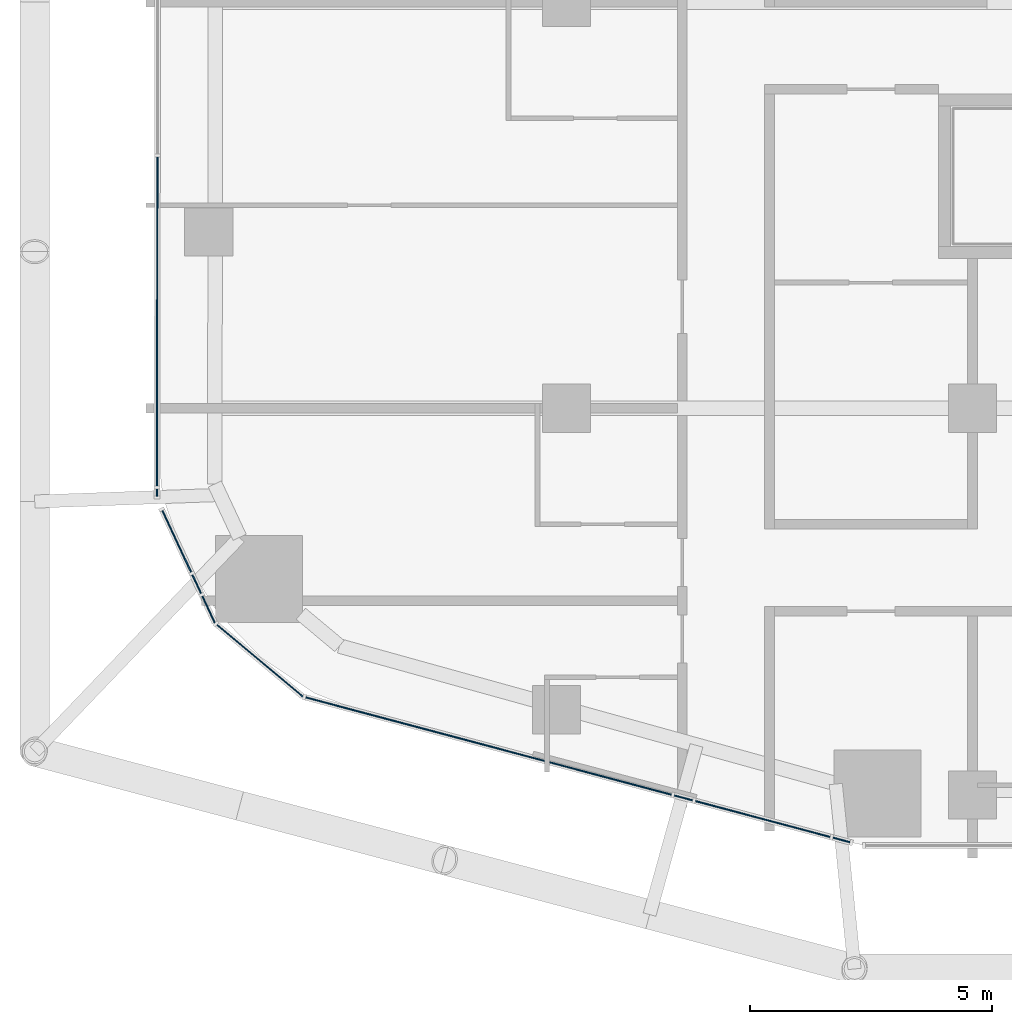
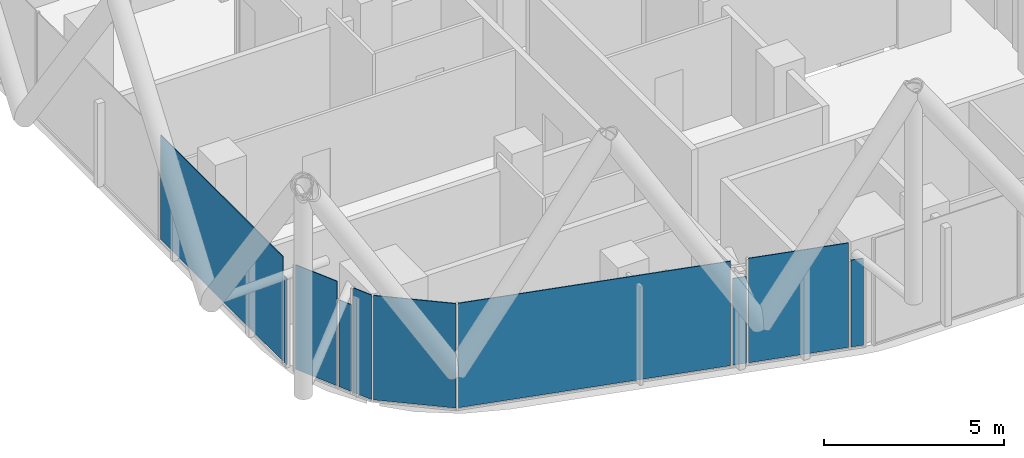
# One storey, part 19 of 38: 10 plates, 10 elements without a shape of their own.
"""IFC4 building model written with IfcOpenShell, lengths in metres."""

from ifc_helpers import new_model, si_unit, direction, frame, origin, origin_2d, place, context, subcontext, project, spatial, rectangle, extrude, material, layer, layer_set, type_object, element, aggregate, save


model = new_model("IFC4")

# Units and contexts
model_context = context("Model", 3, precision=1e-05, world=origin(), true_north=direction((0.0, 1.0)))
body_context = subcontext(model_context, "Body", "Model", "MODEL_VIEW")
ifc_project = project(units=[si_unit("LENGTHUNIT", "METRE"), si_unit("AREAUNIT", "SQUARE_METRE"), si_unit("VOLUMEUNIT", "CUBIC_METRE"), si_unit("PLANEANGLEUNIT", "RADIAN"), si_unit("MASSUNIT", "GRAM", prefix="KILO")], contexts=[model_context])

# Site, building, storey
site_placement = place(None, origin())
site = spatial("IfcSite", under=ifc_project, at=site_placement, CompositionType="ELEMENT")
building_placement = place(site_placement, origin())
building = spatial("IfcBuilding", under=site, at=building_placement, Name="Marenta Gate Hotel Tower", CompositionType="ELEMENT")
storey_placement = place(building_placement, frame((0.0, 0.0, 68.89990234375)))
storey = spatial("IfcBuildingStorey", under=building, at=storey_placement, Name="L15", CompositionType="ELEMENT", Elevation=68.89990234375)

# Curtain wall, plate
ifc_material_1 = material(Name="Tinted insulated glass in bronze anodised frame", Category="glass")
ifc_layer_1 = layer(ifc_material_1, 0.1201171875)
ifc_layer_set_1 = layer_set([ifc_layer_1], Name="Tinted insulated glass in bronze anodised frame")
curtain_wall_type = type_object("IfcCurtainWallType", Name="Tower unitised curtain wall CW1", PredefinedType="NOTDEFINED", material=ifc_layer_set_1)
curtain_wall_1_placement = place(storey_placement, origin())
curtain_wall_1 = element("IfcCurtainWall", 1, at=curtain_wall_1_placement, inside=storey, type_object=curtain_wall_type, Name="CW1 run G08", PredefinedType="NOTDEFINED")
ifc_material_2 = material(Name="Tinted insulated glass", Category="glass")
ifc_layer_2 = layer(ifc_material_2, 0.028076171875)
ifc_layer_set_2 = layer_set([ifc_layer_2], Name="Tinted insulated glass")
plate_type = type_object("IfcPlateType", Name="Glass panel CW1 28 mm tinted insulated unit", PredefinedType="CURTAIN_PANEL", material=ifc_layer_set_2)
plate_1_placement = place(storey_placement, frame((-29.467529296875, -6.60888671875, 0.06005859375), z_axis=(0.0, 0.0, 1.0), x_axis=(-0.00156461532, -0.999998775989, 0.0)))
plate_1 = element("IfcPlate", 2, at=plate_1_placement, type_object=plate_type, Name="CW1 panel 3.1", PredefinedType="CURTAIN_PANEL", context=body_context, shape_type="SweptSolid", body=[
    extrude(rectangle(XDim=6.80859375, YDim=0.028076171875, at=origin_2d()), origin(), (0.0, 0.0, 1.0), 3.5400390625),
])
aggregate(curtain_wall_1, [plate_1])

curtain_wall_2_placement = place(storey_placement, origin())
curtain_wall_2 = element("IfcCurtainWall", 3, at=curtain_wall_2_placement, inside=storey, type_object=curtain_wall_type, Name="CW1 run G09", PredefinedType="NOTDEFINED")
plate_2_placement = place(storey_placement, frame((-29.47314453125, -10.144775390625, 0.060302734375), z_axis=(0.0, 0.0, 1.0), x_axis=(-0.001523227487, -0.999998839888, 0.0)))
plate_2 = element("IfcPlate", 4, at=plate_2_placement, type_object=plate_type, Name="CW1 panel 1.1", PredefinedType="CURTAIN_PANEL", context=body_context, shape_type="SweptSolid", body=[
    extrude(rectangle(XDim=0.142578125, YDim=0.028076171875, at=origin_2d()), origin(), (0.0, 0.0, 1.0), 2.9404296875),
])
aggregate(curtain_wall_2, [plate_2])

curtain_wall_3_placement = place(storey_placement, origin())
curtain_wall_3 = element("IfcCurtainWall", 5, at=curtain_wall_3_placement, inside=storey, type_object=curtain_wall_type, Name="CW1 run G10", PredefinedType="NOTDEFINED")
plate_3_placement = place(storey_placement, frame((-29.0625, -11.15478515625, 0.06005859375), z_axis=(0.0, 0.0, 1.0), x_axis=(0.423374568314, -0.905954731156, 0.0)))
plate_3 = element("IfcPlate", 6, at=plate_3_placement, type_object=plate_type, Name="CW1 panel 1.1", PredefinedType="CURTAIN_PANEL", context=body_context, shape_type="SweptSolid", body=[
    extrude(rectangle(XDim=1.406005859375, YDim=0.028076171875, at=origin_2d()), origin(), (0.0, 0.0, 1.0), 3.5400390625),
])
aggregate(curtain_wall_3, [plate_3])

curtain_wall_4_placement = place(storey_placement, origin())
curtain_wall_4 = element("IfcCurtainWall", 7, at=curtain_wall_4_placement, inside=storey, type_object=curtain_wall_type, Name="CW1 run G11", PredefinedType="NOTDEFINED")
plate_4_placement = place(storey_placement, frame((-28.6494140625, -12.0390625, 0.060302734375), z_axis=(0.0, 0.0, 1.0), x_axis=(0.423268429691, -0.906004324729, 0.0)))
plate_4 = element("IfcPlate", 8, at=plate_4_placement, type_object=plate_type, Name="CW1 panel 1.1", PredefinedType="CURTAIN_PANEL", context=body_context, shape_type="SweptSolid", body=[
    extrude(rectangle(XDim=0.426025390625, YDim=0.028076171875, at=origin_2d()), origin(), (0.0, 0.0, 1.0), 2.9404296875),
])
aggregate(curtain_wall_4, [plate_4])

curtain_wall_5_placement = place(storey_placement, origin())
curtain_wall_5 = element("IfcCurtainWall", 9, at=curtain_wall_5_placement, inside=storey, type_object=curtain_wall_type, Name="CW1 run G12", PredefinedType="NOTDEFINED")
plate_5_placement = place(storey_placement, frame((-28.404052734375, -12.564208984375, 0.06005859375), z_axis=(0.0, 0.0, 1.0), x_axis=(0.423397949235, -0.905943804319, 0.0)))
plate_5 = element("IfcPlate", 10, at=plate_5_placement, type_object=plate_type, Name="CW1 panel 1.1", PredefinedType="CURTAIN_PANEL", context=body_context, shape_type="SweptSolid", body=[
    extrude(rectangle(XDim=0.61279296875, YDim=0.028076171875, at=origin_2d()), origin(), (0.0, 0.0, 1.0), 3.5400390625),
])
aggregate(curtain_wall_5, [plate_5])

curtain_wall_6_placement = place(storey_placement, origin())
curtain_wall_6 = element("IfcCurtainWall", 11, at=curtain_wall_6_placement, inside=storey, type_object=curtain_wall_type, Name="CW1 run G13", PredefinedType="NOTDEFINED")
plate_6_placement = place(storey_placement, frame((-27.33984375, -13.623291015625, 0.06005859375), z_axis=(0.0, 0.0, 1.0), x_axis=(0.767113012445, -0.641511984407, 0.0)))
plate_6 = element("IfcPlate", 12, at=plate_6_placement, type_object=plate_type, Name="CW1 panel 1.1", PredefinedType="CURTAIN_PANEL", context=body_context, shape_type="SweptSolid", body=[
    extrude(rectangle(XDim=2.316650390625, YDim=0.028076171875, at=origin_2d()), origin(), (0.0, 0.0, 1.0), 3.5400390625),
])
aggregate(curtain_wall_6, [plate_6])

curtain_wall_7_placement = place(storey_placement, origin())
curtain_wall_7 = element("IfcCurtainWall", 13, at=curtain_wall_7_placement, inside=storey, type_object=curtain_wall_type, Name="CW1 run G14", PredefinedType="NOTDEFINED")
plate_7_placement = place(storey_placement, frame((-22.60986328125, -15.388427734375, 0.06005859375), z_axis=(0.0, 0.0, 1.0), x_axis=(0.96637300589, -0.257144343682, 0.0)))
plate_7 = element("IfcPlate", 14, at=plate_7_placement, type_object=plate_type, Name="CW1 panel 1.1", PredefinedType="CURTAIN_PANEL", context=body_context, shape_type="SweptSolid", body=[
    extrude(rectangle(XDim=7.830078125, YDim=0.028076171875, at=origin_2d()), origin(), (0.0, 0.0, 1.0), 3.5400390625),
])
aggregate(curtain_wall_7, [plate_7])

curtain_wall_8_placement = place(storey_placement, origin())
curtain_wall_8 = element("IfcCurtainWall", 15, at=curtain_wall_8_placement, inside=storey, type_object=curtain_wall_type, Name="CW1 run G15", PredefinedType="NOTDEFINED")
plate_8_placement = place(storey_placement, frame((-18.57861328125, -16.461181640625, 0.060302734375), z_axis=(0.0, 0.0, 1.0), x_axis=(0.966370359942, -0.257154287199, 0.0)))
plate_8 = element("IfcPlate", 16, at=plate_8_placement, type_object=plate_type, Name="CW1 panel 1.1", PredefinedType="CURTAIN_PANEL", context=body_context, shape_type="SweptSolid", body=[
    extrude(rectangle(XDim=0.39306640625, YDim=0.028076171875, at=origin_2d()), origin(), (0.0, 0.0, 1.0), 2.9404296875),
])
aggregate(curtain_wall_8, [plate_8])

curtain_wall_9_placement = place(storey_placement, origin())
curtain_wall_9 = element("IfcCurtainWall", 17, at=curtain_wall_9_placement, inside=storey, type_object=curtain_wall_type, Name="CW1 run G16", PredefinedType="NOTDEFINED")
plate_9_placement = place(storey_placement, frame((-16.937255859375, -16.89794921875, 0.06005859375), z_axis=(0.0, 0.0, 1.0), x_axis=(0.966375739081, -0.257134071867, 0.0)))
plate_9 = element("IfcPlate", 18, at=plate_9_placement, type_object=plate_type, Name="CW1 panel 1.1", PredefinedType="CURTAIN_PANEL", context=body_context, shape_type="SweptSolid", body=[
    extrude(rectangle(XDim=2.884033203125, YDim=0.028076171875, at=origin_2d()), origin(), (0.0, 0.0, 1.0), 3.5400390625),
])
aggregate(curtain_wall_9, [plate_9])

curtain_wall_10_placement = place(storey_placement, origin())
curtain_wall_10 = element("IfcCurtainWall", 19, at=curtain_wall_10_placement, inside=storey, type_object=curtain_wall_type, Name="CW1 run G17", PredefinedType="NOTDEFINED")
plate_10_placement = place(storey_placement, frame((-15.309814453125, -17.3310546875, 0.060302734375), z_axis=(0.0, 0.0, 1.0), x_axis=(0.966388993927, -0.257084251591, 0.0)))
plate_10 = element("IfcPlate", 20, at=plate_10_placement, type_object=plate_type, Name="CW1 panel 1.1", PredefinedType="CURTAIN_PANEL", context=body_context, shape_type="SweptSolid", body=[
    extrude(rectangle(XDim=0.3642578125, YDim=0.028076171875, at=origin_2d()), origin(), (0.0, 0.0, 1.0), 2.9404296875),
])
aggregate(curtain_wall_10, [plate_10])

save(model, "model.ifc")
